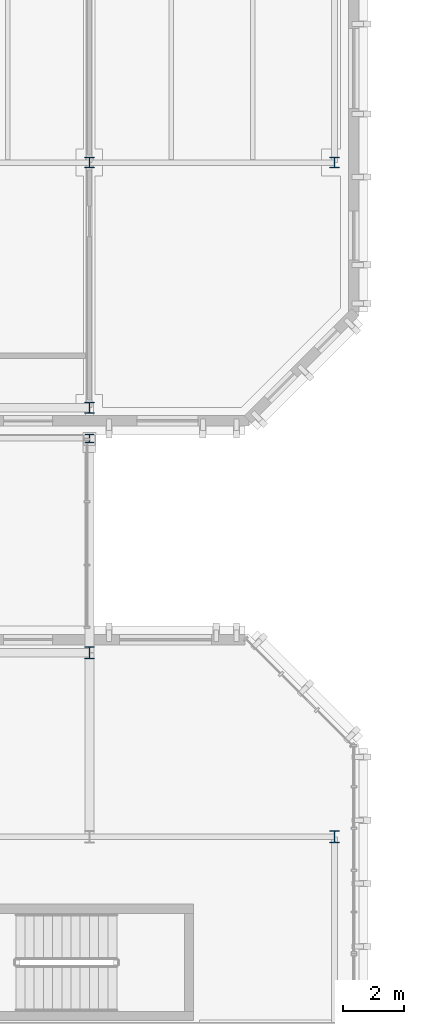
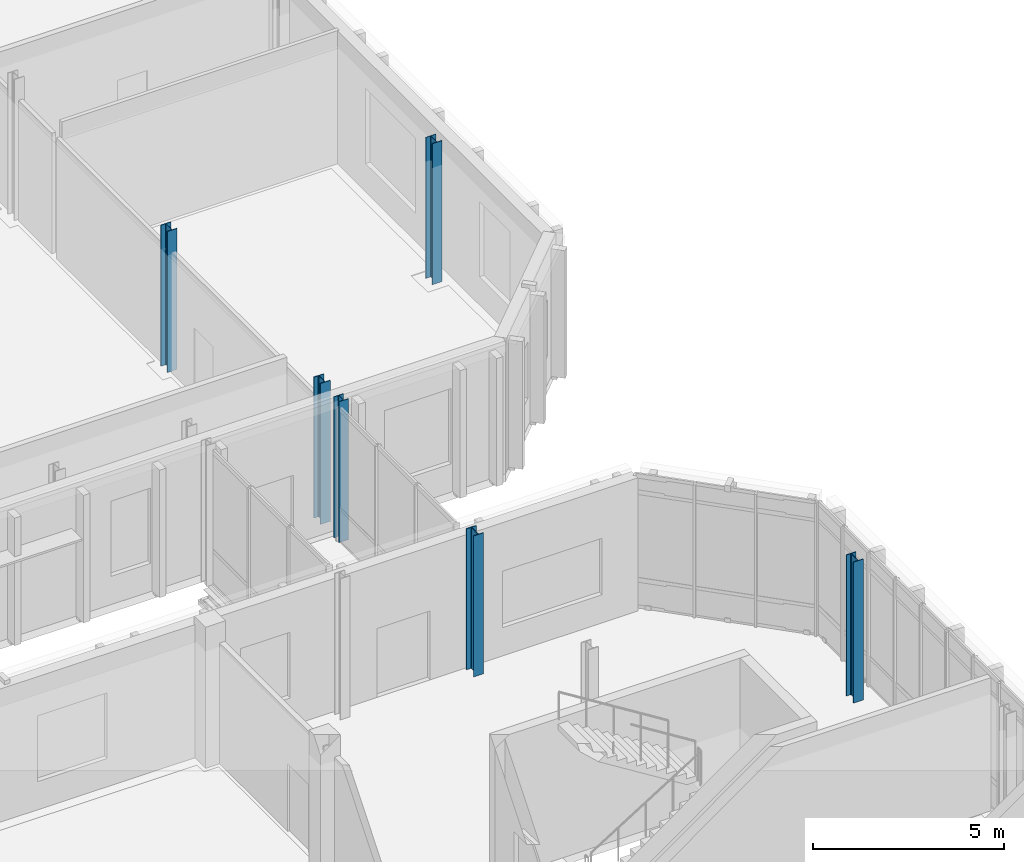
# One storey, part 9 of 86: 6 columns.
"""IFC4 building model written with IfcOpenShell, lengths in metres."""

from ifc_helpers import new_model, si_unit, direction, frame, origin, origin_2d, place, context, subcontext, project, spatial, i_section, extrude, material, material_profile, profile_set, type_object, element, save


model = new_model("IFC4")

# Units and contexts
model_context = context("Model", 3, precision=1e-05, world=origin(), true_north=direction((0.0, 1.0)))
body_context = subcontext(model_context, "Body", "Model", "MODEL_VIEW")
ifc_project = project(units=[si_unit("LENGTHUNIT", "METRE"), si_unit("AREAUNIT", "SQUARE_METRE"), si_unit("VOLUMEUNIT", "CUBIC_METRE"), si_unit("PLANEANGLEUNIT", "RADIAN"), si_unit("MASSUNIT", "GRAM", prefix="KILO")], contexts=[model_context])

# Site, building, storey
site_placement = place(None, origin())
site = spatial("IfcSite", under=ifc_project, at=site_placement, CompositionType="ELEMENT")
building_placement = place(site_placement, origin())
building = spatial("IfcBuilding", under=site, at=building_placement, Name="Cymarion Research Institute", CompositionType="ELEMENT")
storey_placement = place(building_placement, frame((0.0, 0.0, 13.800048828125)))
storey = spatial("IfcBuildingStorey", under=building, at=storey_placement, Name="L03", CompositionType="ELEMENT", Elevation=13.800048828125)

# Columns
ifc_material = material(Name="Steel S355", Category="steel")
ifc_material_profile_1 = material_profile(ifc_material, i_section(OverallWidth=0.300048828125, OverallDepth=0.39990234375, WebThickness=0.013427734375, FlangeThickness=0.02392578125, FilletRadius=0.027099609375, at=origin_2d()), Name="HEB 400")
ifc_profile_set_1 = profile_set([ifc_material_profile_1], Name="Steel S355")
column_type_1 = type_object("IfcColumnType", Name="STRUCTURAL COLUMN C06 HEB 400", PredefinedType="COLUMN", material=ifc_profile_set_1)
for number, where, z_axis, x_axis, name in (
    (1, (38.60009765625, 77.5, 0.0), (0.0, 0.0, 1.0), (1.0, 0.0, 0.0), "L03 V4 column C06 #909"),
    (2, (46.60009765625, 71.5, 0.0), (0.0, 0.0, 1.0), (1.0, 0.0, 0.0), "L03 V4 column C06 #919"),
):
    element("IfcColumn", number, at=place(storey_placement, frame(where, z_axis=z_axis, x_axis=x_axis)), inside=storey, type_object=column_type_1, Name=name, PredefinedType="COLUMN", context=body_context, shape_type="SweptSolid", body=[
        extrude(i_section(OverallWidth=0.300048828125, OverallDepth=0.39990234375, WebThickness=0.013427734375, FlangeThickness=0.02392578125, FilletRadius=0.027099609375, at=origin_2d()), origin(), (0.0, 0.0, 1.0), 4.5),
    ])
ifc_material_profile_2 = material_profile(ifc_material, i_section(OverallWidth=0.300048828125, OverallDepth=0.360107421875, WebThickness=0.012451171875, FlangeThickness=0.0224609375, FilletRadius=0.027099609375, at=origin_2d()), Name="HEB 360")
ifc_profile_set_2 = profile_set([ifc_material_profile_2], Name="Steel S355")
column_type_2 = type_object("IfcColumnType", Name="STRUCTURAL COLUMN C07 HEB 360", PredefinedType="COLUMN", material=ifc_profile_set_2)
column_1_placement = place(storey_placement, frame((38.60009765625, 85.5, 0.0), z_axis=(0.0, 0.0, 1.0), x_axis=(1.0, 0.0, 0.0)))
element("IfcColumn", 3, at=column_1_placement, inside=storey, type_object=column_type_2, Name="L03 V5 column C07 #911", PredefinedType="COLUMN", context=body_context, shape_type="SweptSolid", body=[
    extrude(i_section(OverallWidth=0.300048828125, OverallDepth=0.360107421875, WebThickness=0.012451171875, FlangeThickness=0.0224609375, FilletRadius=0.027099609375, at=origin_2d()), origin(), (0.0, 0.0, 1.0), 4.5),
])
ifc_material_profile_3 = material_profile(ifc_material, i_section(OverallWidth=0.280029296875, OverallDepth=0.280029296875, WebThickness=0.010498046875, FlangeThickness=0.01806640625, FilletRadius=0.02392578125, at=origin_2d()), Name="HEB 280")
ifc_profile_set_3 = profile_set([ifc_material_profile_3], Name="Steel S355")
column_type_3 = type_object("IfcColumnType", Name="STRUCTURAL COLUMN C09 HEB 280", PredefinedType="COLUMN", material=ifc_profile_set_3)
column_2_placement = place(storey_placement, frame((38.60009765625, 84.5, 0.0), z_axis=(0.0, 0.0, 1.0), x_axis=(1.0, 0.0, 0.0)))
element("IfcColumn", 4, at=column_2_placement, inside=storey, type_object=column_type_3, Name="L03 V4 column C09 #910", PredefinedType="COLUMN", context=body_context, shape_type="SweptSolid", body=[
    extrude(i_section(OverallWidth=0.280029296875, OverallDepth=0.280029296875, WebThickness=0.010498046875, FlangeThickness=0.01806640625, FilletRadius=0.02392578125, at=origin_2d()), origin(), (0.0, 0.0, 1.0), 4.5),
])
ifc_material_profile_4 = material_profile(ifc_material, i_section(OverallWidth=0.300048828125, OverallDepth=0.35009765625, WebThickness=0.010009765625, FlangeThickness=0.017578125, FilletRadius=0.027099609375, at=origin_2d()), Name="HEA 360")
ifc_profile_set_4 = profile_set([ifc_material_profile_4], Name="Steel S355")
column_type_4 = type_object("IfcColumnType", Name="STRUCTURAL COLUMN C12 HEA 360", PredefinedType="COLUMN", material=ifc_profile_set_4)
for number, where, z_axis, x_axis, name in (
    (5, (38.60009765625, 93.5, 0.0), (0.0, 0.0, 1.0), (1.0, 0.0, 0.0), "L03 V5 column C12 #912"),
    (6, (46.60009765625, 93.5, 0.0), (0.0, 0.0, 1.0), (1.0, 0.0, 0.0), "L03 V5 column C12 #920"),
):
    element("IfcColumn", number, at=place(storey_placement, frame(where, z_axis=z_axis, x_axis=x_axis)), inside=storey, type_object=column_type_4, Name=name, PredefinedType="COLUMN", context=body_context, shape_type="SweptSolid", body=[
        extrude(i_section(OverallWidth=0.300048828125, OverallDepth=0.35009765625, WebThickness=0.010009765625, FlangeThickness=0.017578125, FilletRadius=0.027099609375, at=origin_2d()), origin(), (0.0, 0.0, 1.0), 4.5),
    ])

save(model, "model.ifc")
